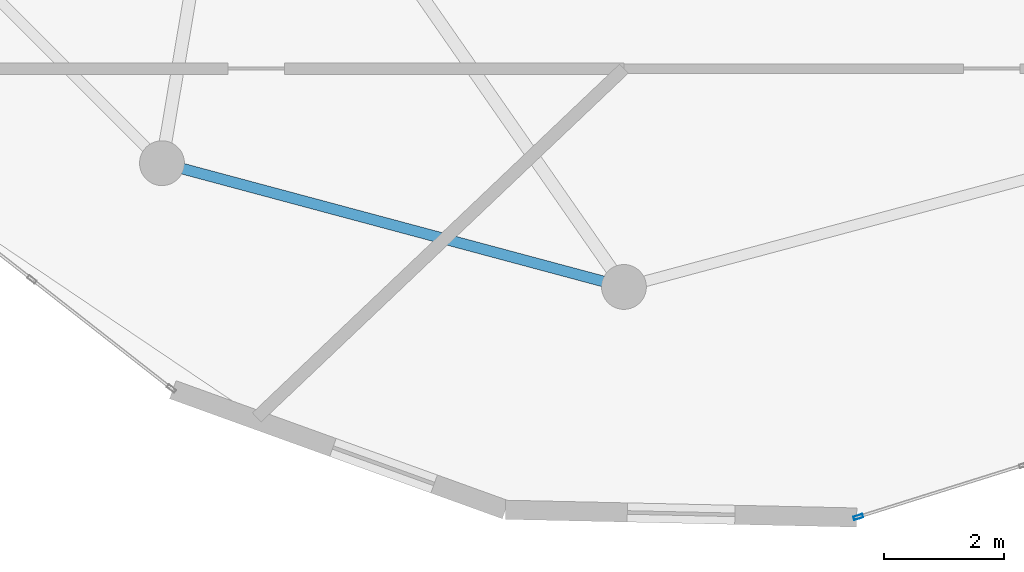
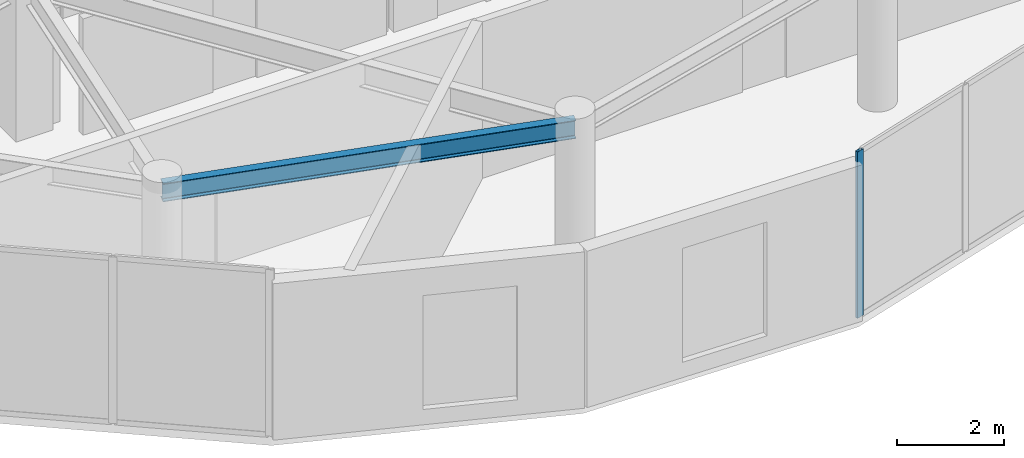
# One storey, part 4 of 19: 1 beam, 1 member, 1 element without a shape of its own.
"""IFC4 building model written with IfcOpenShell, lengths in metres."""

import ifcopenshell
import ifcopenshell.guid

model = None  # the IFC model being written
_history = None  # IfcOwnerHistory: only IFC2X3 demands one
_inside = {}  # id of a spatial element -> (the spatial element, [elements in it])
_under = {}  # id of a project, library or spatial element -> (it, [spatial elements below it])
_declared = {}  # id of a project -> (the project, [libraries it declares])
_typed = {}  # id of a type object -> (the type object, [elements of that type])
_made_of = {}  # id of a material, layer set ... -> (it, [elements and type objects made of it])


def new_model(schema):
    """Start an empty IFC model of exactly this schema.

    Asked for "IFC4X3", IfcOpenShell would pick the latest addendum, in which some entities
    have other attributes; the version numbers below select the first issue.
    IFC2X3 requires an IfcOwnerHistory on every rooted entity: one is made here for all.
    """
    global model, _history
    if schema == "IFC4X3":
        model = ifcopenshell.file(schema_version=(4, 3, 0, 0))
    else:
        model = ifcopenshell.file(schema=schema)
    _inside.clear()
    _under.clear()
    _declared.clear()
    _typed.clear()
    _made_of.clear()
    _history = None
    if model.schema == "IFC2X3":
        org = make("IfcOrganization", Name="unknown")
        user = make(
            "IfcPersonAndOrganization",
            ThePerson=make("IfcPerson", FamilyName="unknown"),
            TheOrganization=org,
        )
        app = make(
            "IfcApplication",
            ApplicationDeveloper=org,
            Version="unknown",
            ApplicationFullName="unknown",
            ApplicationIdentifier="unknown",
        )
        _history = make(
            "IfcOwnerHistory",
            OwningUser=user,
            OwningApplication=app,
            ChangeAction="ADDED",
            CreationDate=0,
        )
    return model


def make(cls, **values):
    """One entity of the class cls with the attributes given. An attribute that is None is left unset."""
    return model.create_entity(
        cls, **{name: value for name, value in values.items() if value is not None}
    )


def rooted(cls, **values):
    """An entity with a GlobalId (a new one), such as an element, a storey or a relation."""
    return make(cls, GlobalId=ifcopenshell.guid.new(), OwnerHistory=_history, **values)


def si_unit(unit_type, name, prefix=None):
    """IfcSIUnit, for example si_unit("LENGTHUNIT", "METRE", prefix="MILLI")."""
    return make("IfcSIUnit", UnitType=unit_type, Prefix=prefix, Name=name)


def assignment(units):
    """IfcUnitAssignment: the units of a project."""
    return None if units is None else make("IfcUnitAssignment", Units=units)


def point(xyz):
    """IfcCartesianPoint."""
    return None if xyz is None else make("IfcCartesianPoint", Coordinates=xyz)


def direction(xyz):
    """IfcDirection."""
    return None if xyz is None else make("IfcDirection", DirectionRatios=xyz)


def frame(location, z_axis=None, x_axis=None):
    """IfcAxis2Placement3D, a coordinate frame: its origin and axes. An axis left out is left unset."""
    return make(
        "IfcAxis2Placement3D",
        Location=point(location),
        Axis=direction(z_axis),
        RefDirection=direction(x_axis),
    )


def frame_2d(location, x_axis=None):
    """IfcAxis2Placement2D, a coordinate frame in the plane: its origin and x axis."""
    return make(
        "IfcAxis2Placement2D", Location=point(location), RefDirection=direction(x_axis)
    )


def origin():
    """The frame at (0, 0, 0) with its axes left unset."""
    return frame((0.0, 0.0, 0.0))


def origin_2d():
    """The frame at (0, 0) in the plane with its x axis left unset."""
    return frame_2d((0.0, 0.0))


def place(relative_to, where):
    """IfcLocalPlacement: puts the frame where relative to a parent placement (None: the world)."""
    return make(
        "IfcLocalPlacement", PlacementRelTo=relative_to, RelativePlacement=where
    )


def context(
    kind, dimensions, precision=None, world=None, true_north=None, identifier=None
):
    """IfcGeometricRepresentationContext, for example the 3D "Model" context."""
    return make(
        "IfcGeometricRepresentationContext",
        ContextIdentifier=identifier,
        ContextType=kind,
        CoordinateSpaceDimension=dimensions,
        Precision=precision,
        WorldCoordinateSystem=world,
        TrueNorth=true_north,
    )


def subcontext(parent, identifier, kind, view, scale=None):
    """IfcGeometricRepresentationSubContext, for example "Body" below "Model"."""
    return make(
        "IfcGeometricRepresentationSubContext",
        ContextIdentifier=identifier,
        ContextType=kind,
        ParentContext=parent,
        TargetScale=scale,
        TargetView=view,
    )


def project(units=None, contexts=None):
    """IfcProject with its units and contexts."""
    return rooted(
        "IfcProject",
        Name="project",
        RepresentationContexts=contexts,
        UnitsInContext=assignment(units),
    )


def spatial(cls, under=None, at=None, **own):
    """A site, building, storey or space (cls), placed at a placement, below another one or the project."""
    s = rooted(cls, ObjectPlacement=at, **own)
    if under is not None:
        _under.setdefault(under.id(), (under, []))[1].append(s)
    return s


def profile(cls, at=None, kind="AREA", **sizes):
    """A parametric profile (cls). Its sizes go by their IFC names, for example OverallWidth=200.0."""
    return make(cls, ProfileType=kind, Position=at, **sizes)


def hollow_rectangle(**sizes):
    """IfcRectangleHollowProfileDef."""
    return profile("IfcRectangleHollowProfileDef", **sizes)


def i_section(**sizes):
    """IfcIShapeProfileDef."""
    return profile("IfcIShapeProfileDef", **sizes)


def extrude(swept, where, along, depth):
    """IfcExtrudedAreaSolid: the profile swept, set in the frame where, extruded along a direction by depth."""
    return make(
        "IfcExtrudedAreaSolid",
        SweptArea=swept,
        Position=where,
        ExtrudedDirection=direction(along),
        Depth=depth,
    )


def shape(context_of_items, identifier, shape_type, items):
    """IfcShapeRepresentation: the items that make up one representation, for example the "Body"."""
    return make(
        "IfcShapeRepresentation",
        ContextOfItems=context_of_items,
        RepresentationIdentifier=identifier,
        RepresentationType=shape_type,
        Items=items,
    )


def source(mapping_origin, context_of_items, identifier, shape_type, items):
    """IfcRepresentationMap: a shape defined once, which mapped items show again and again."""
    return make(
        "IfcRepresentationMap",
        MappingOrigin=mapping_origin,
        MappedRepresentation=shape(context_of_items, identifier, shape_type, items),
    )


def transform(
    local_origin,
    x_axis=None,
    y_axis=None,
    z_axis=None,
    scale=None,
    scale2=None,
    scale3=None,
    uniform=True,
):
    """IfcCartesianTransformationOperator3D, or its non-uniform kind. x_axis, y_axis, z_axis: its Axis1, 2, 3."""
    if uniform:
        return make(
            "IfcCartesianTransformationOperator3D",
            Axis1=direction(x_axis),
            Axis2=direction(y_axis),
            LocalOrigin=point(local_origin),
            Scale=scale,
            Axis3=direction(z_axis),
        )
    return make(
        "IfcCartesianTransformationOperator3DnonUniform",
        Axis1=direction(x_axis),
        Axis2=direction(y_axis),
        LocalOrigin=point(local_origin),
        Scale=scale,
        Axis3=direction(z_axis),
        Scale2=scale2,
        Scale3=scale3,
    )


def mapped(mapping_source, mapping_target):
    """IfcMappedItem: shows the shape of a source again, moved by a transform."""
    return make(
        "IfcMappedItem", MappingSource=mapping_source, MappingTarget=mapping_target
    )


def material(Name=None, Category=None):
    """IfcMaterial."""
    return make("IfcMaterial", Name=Name, Category=Category)


def layer(
    of_material, thickness, ventilated=None, Name=None, Category=None, Priority=None
):
    """IfcMaterialLayer: one layer of a wall or slab, of a material (None: an air gap)."""
    return make(
        "IfcMaterialLayer",
        Material=of_material,
        LayerThickness=thickness,
        IsVentilated=ventilated,
        Name=Name,
        Category=Category,
        Priority=Priority,
    )


def layer_set(layers, Name=None):
    """IfcMaterialLayerSet."""
    return make("IfcMaterialLayerSet", MaterialLayers=layers, LayerSetName=Name)


def material_profile(
    of_material, cross_section, Name=None, Category=None, Priority=None
):
    """IfcMaterialProfile: a cross section and its material."""
    return make(
        "IfcMaterialProfile",
        Name=Name,
        Material=of_material,
        Profile=cross_section,
        Priority=Priority,
        Category=Category,
    )


def profile_set(profiles, Name=None, composite=None):
    """IfcMaterialProfileSet."""
    return make(
        "IfcMaterialProfileSet",
        Name=Name,
        MaterialProfiles=profiles,
        CompositeProfile=composite,
    )


def made_of(thing, what):
    """Note that an element or type object is made of a material, layer set ...; save() writes the relation."""
    if what is not None:
        _made_of.setdefault(what.id(), (what, []))[1].append(thing)
    return thing


def type_object(cls, material=None, **own):
    """A type object (cls), such as IfcWallType, which elements share."""
    return made_of(rooted(cls, **own), material)


def element(
    cls,
    number,
    at=None,
    inside=None,
    cuts=None,
    type_object=None,
    material=None,
    context=None,
    identifier="Body",
    shape_type=None,
    held_by="IfcProductDefinitionShape",
    body=None,
    shapes=None,
    **own,
):
    """One element of the class cls, such as IfcWall. Its Tag is "e" and its number.

    at: its placement. inside: the storey or other place that contains it. cuts: it is an
    opening in that element (IfcRelVoidsElement). A single representation is given by context,
    identifier, shape_type and body (its items); several are given by shapes. held_by: the class
    of the entity that holds the representations. save() writes the other relations.
    """
    e = rooted(cls, Tag="e%d" % number, ObjectPlacement=at, **own)
    if body is not None:
        shapes = [shape(context, identifier, shape_type, body)]
    if shapes is not None:
        e.Representation = make(held_by, Representations=shapes)
    if inside is not None:
        _inside.setdefault(inside.id(), (inside, []))[1].append(e)
    if cuts is not None:
        rooted(
            "IfcRelVoidsElement", RelatingBuildingElement=cuts, RelatedOpeningElement=e
        )
    if type_object is not None:
        _typed.setdefault(type_object.id(), (type_object, []))[1].append(e)
    return made_of(e, material)


def aggregate(whole, parts):
    """IfcRelAggregates: a whole, such as a stair, and the parts it consists of."""
    return rooted("IfcRelAggregates", RelatingObject=whole, RelatedObjects=parts)


def save(model, path):
    """Write the relations noted so far, then the file.

    IfcRelAggregates (storeys below a building ...), IfcRelContainedInSpatialStructure (elements
    in a storey), IfcRelDefinesByType, IfcRelAssociatesMaterial and IfcRelDeclares: one each for
    every whole, place, type object, material and project.
    """
    for whole, parts in _under.values():
        aggregate(whole, parts)
    for where, things in _inside.values():
        rooted(
            "IfcRelContainedInSpatialStructure",
            RelatedElements=things,
            RelatingStructure=where,
        )
    for kind, things in _typed.values():
        rooted("IfcRelDefinesByType", RelatedObjects=things, RelatingType=kind)
    for what, things in _made_of.values():
        rooted("IfcRelAssociatesMaterial", RelatedObjects=things, RelatingMaterial=what)
    for by, libraries in _declared.values():
        rooted("IfcRelDeclares", RelatingContext=by, RelatedDefinitions=libraries)
    model.write(path)


model = new_model("IFC4")

# Units and contexts
model_context = context("Model", 3, precision=1e-05, world=origin(), true_north=direction((0.0, 1.0)))
body_context = subcontext(model_context, "Body", "Model", "MODEL_VIEW")
ifc_project = project(units=[si_unit("LENGTHUNIT", "METRE"), si_unit("AREAUNIT", "SQUARE_METRE"), si_unit("VOLUMEUNIT", "CUBIC_METRE"), si_unit("PLANEANGLEUNIT", "RADIAN"), si_unit("MASSUNIT", "GRAM", prefix="KILO")], contexts=[model_context])

# Site, building, storey
site_placement = place(None, origin())
site = spatial("IfcSite", under=ifc_project, at=site_placement, CompositionType="ELEMENT")
building_placement = place(site_placement, origin())
building = spatial("IfcBuilding", under=site, at=building_placement, Name="Solvirekh Grand Hotel", CompositionType="ELEMENT")
storey_placement = place(building_placement, frame((0.0, 0.0, 254.39990234375)))
storey = spatial("IfcBuildingStorey", under=building, at=storey_placement, Name="L66", CompositionType="ELEMENT", Elevation=254.39990234375)

# Beam
ifc_material_1 = material(Name="Steel S355", Category="steel")
ifc_material_profile_1 = material_profile(ifc_material_1, i_section(OverallWidth=0.180908203125, OverallDepth=0.4169921875, WebThickness=0.010009765625, FlangeThickness=0.01611328125, FilletRadius=0.011962890625, at=origin_2d()), Name="W410X85")
ifc_profile_set_1 = profile_set([ifc_material_profile_1], Name="Steel S355")
beam_type = type_object("IfcBeamType", Name="Spandrel_Ring_W410", PredefinedType="SPANDREL", material=ifc_profile_set_1)
beam_placement = place(storey_placement, frame((-7.72509765625, -13.3798828125, 3.362060546875), z_axis=(0.965921616143, -0.258834757072, 0.0), x_axis=(0.258834757072, 0.965921616143, 0.0)))
element("IfcBeam", 1, at=beam_placement, inside=storey, type_object=beam_type, Name="L66 perimeter spandrel beam 9", PredefinedType="SPANDREL", context=body_context, shape_type="SweptSolid", body=[
    extrude(i_section(OverallWidth=0.180908203125, OverallDepth=0.4169921875, WebThickness=0.010009765625, FlangeThickness=0.01611328125, FilletRadius=0.011962890625, at=origin_2d()), origin(), (0.0, 0.0, 1.0), 7.99755859375),
])

# Curtain wall, member
ifc_material_2 = material(Name="Anodized Bronze Aluminium 6063-T6", Category="aluminium")
ifc_layer = layer(ifc_material_2, 0.159912109375)
ifc_layer_set = layer_set([ifc_layer], Name="Anodized Bronze Aluminium 6063-T6")
curtain_wall_type = type_object("IfcCurtainWallType", Name="CW_Sys4_HighZoneFlushBronzeCW", PredefinedType="NOTDEFINED", material=ifc_layer_set)
curtain_wall_placement = place(storey_placement, origin())
curtain_wall = element("IfcCurtainWall", 2, at=curtain_wall_placement, inside=storey, type_object=curtain_wall_type, Name="L66 unitised bronze-glass curtain wall CW-L66-C01", PredefinedType="NOTDEFINED")
ifc_material_profile_2 = material_profile(ifc_material_2, hollow_rectangle(XDim=0.06005859375, YDim=0.159912109375, WallThickness=0.0048828125, at=origin_2d()), Name="ALU RHS 160X60X5")
ifc_profile_set_2 = profile_set([ifc_material_profile_2], Name="Anodized Bronze Aluminium 6063-T6")
member_type = type_object("IfcMemberType", Name="CWMullion_Sys4", PredefinedType="MULLION", material=ifc_profile_set_2)
shared_shape = source(origin(), body_context, "Body", "SweptSolid", [
    extrude(hollow_rectangle(XDim=0.06005859375, YDim=0.159912109375, WallThickness=0.0048828125, at=origin_2d()), origin(), (0.0, 0.0, 1.0), 3.800048828125),
])
member_placement = place(storey_placement, frame((3.919677734375, -19.297119140625, 0.0), z_axis=(0.0, 0.0, 1.0), x_axis=(-0.299574158927, 0.954073017805, 0.0)))
member = element("IfcMember", 3, at=member_placement, type_object=member_type, Name="U04 mullion 1", PredefinedType="MULLION", context=body_context, shape_type="MappedRepresentation", body=[
    mapped(shared_shape, transform((0.0, 0.0, 0.0), x_axis=(1.0, 0.0, 0.0), y_axis=(0.0, 1.0, 0.0), z_axis=(0.0, 0.0, 1.0), scale=1.0)),
])
aggregate(curtain_wall, [member])

save(model, "model.ifc")
